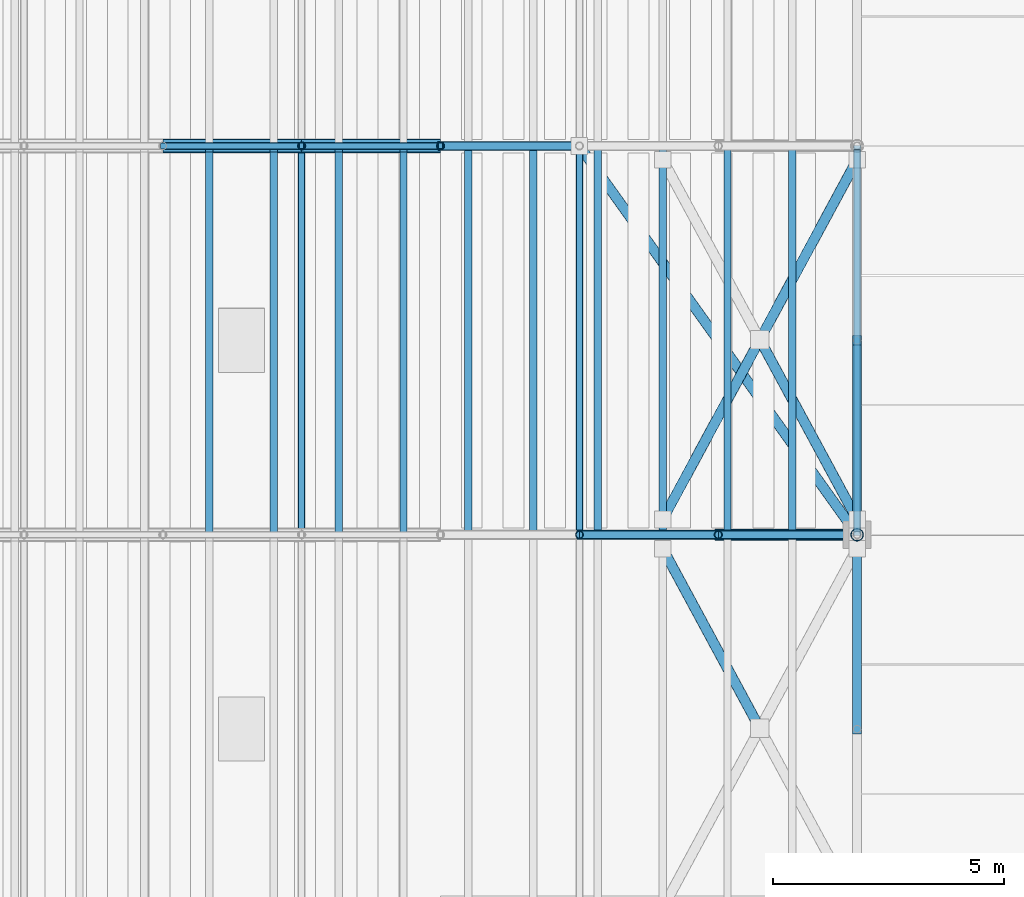
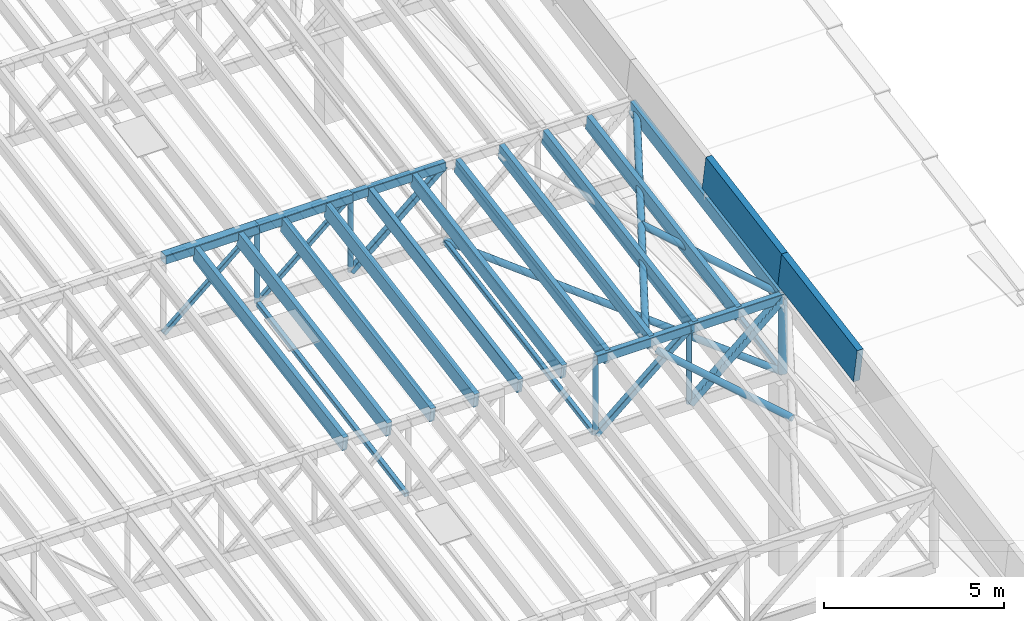
# One storey, part 48 of 91: 33 members, 2 beams.
"""IFC4 building model written with IfcOpenShell, lengths in metres."""

from ifc_helpers import new_model, si_unit, direction, frame, origin, origin_2d, place, context, subcontext, project, spatial, rectangle, hollow_rectangle, hollow_circle, extrude, material, material_profile, profile_set, type_object, element, save


model = new_model("IFC4")

# Units and contexts
model_context = context("Model", 3, precision=1e-05, world=origin(), true_north=direction((0.0, 1.0)))
body_context = subcontext(model_context, "Body", "Model", "MODEL_VIEW")
ifc_project = project(units=[si_unit("LENGTHUNIT", "METRE"), si_unit("AREAUNIT", "SQUARE_METRE"), si_unit("VOLUMEUNIT", "CUBIC_METRE"), si_unit("PLANEANGLEUNIT", "RADIAN"), si_unit("MASSUNIT", "GRAM", prefix="KILO")], contexts=[model_context])

# Site, building, storey
site_placement = place(None, origin())
site = spatial("IfcSite", under=ifc_project, at=site_placement, CompositionType="ELEMENT")
building_placement = place(site_placement, origin())
building = spatial("IfcBuilding", under=site, at=building_placement, Name="Almond Square Museum", CompositionType="ELEMENT")
storey_placement = place(building_placement, frame((0.0, 0.0, 30.0)))
storey = spatial("IfcBuildingStorey", under=building, at=storey_placement, Name="L05", CompositionType="ELEMENT", Elevation=30.0)

# Members
ifc_material_1 = material(Name="Glulam GL28h", Category="wood")
ifc_material_profile_1 = material_profile(ifc_material_1, rectangle(XDim=0.159912109375, YDim=0.5, at=origin_2d()))
ifc_profile_set_1 = profile_set([ifc_material_profile_1], Name="Glulam GL28h")
member_type_1 = type_object("IfcMemberType", Name="Glulam rafter GL28h 160x500", PredefinedType="RAFTER", material=ifc_profile_set_1)
for number, where, z_axis, x_axis, name in (
    (1, (134.800048828125, 67.22998046875, 9.08984375), (0.0, 0.985027509143, 0.172397233827), (-1.0, 0.0, 0.0), "Hall rafter 3.21"),
    (2, (136.199951171875, 67.22998046875, 9.08984375), (0.0, 0.985027509143, 0.172397233827), (-1.0, 0.0, 0.0), "Hall rafter 3.22"),
    (3, (137.60009765625, 67.22998046875, 9.08984375), (0.0, 0.985027509143, 0.172397233827), (-1.0, 0.0, 0.0), "Hall rafter 3.23"),
    (4, (139.0, 67.22998046875, 9.08984375), (0.0, 0.985027509143, 0.172397233827), (-1.0, 0.0, 0.0), "Hall rafter 3.24"),
):
    element("IfcMember", number, at=place(storey_placement, frame(where, z_axis=z_axis, x_axis=x_axis)), inside=storey, type_object=member_type_1, Name=name, PredefinedType="RAFTER", context=body_context, shape_type="SweptSolid", body=[
        extrude(rectangle(XDim=0.159912109375, YDim=0.5, at=origin_2d()), origin(), (0.0, 0.0, 1.0), 8.4091796875),
    ])
for number, where, z_axis, x_axis, name in (
    (5, (140.39990234375, 67.22998046875, 9.08984375), (0.0, 0.985030957185, 0.172377531562), (-1.0, 0.0, 0.0), "Hall rafter 3.25"),
    (6, (141.800048828125, 67.22998046875, 9.08984375), (0.0, 0.985030957185, 0.172377531562), (-1.0, 0.0, 0.0), "Hall rafter 3.26"),
    (7, (143.199951171875, 67.22998046875, 9.08984375), (0.0, 0.985030957185, 0.172377531562), (-1.0, 0.0, 0.0), "Hall rafter 3.27"),
    (8, (144.60009765625, 67.22998046875, 9.08984375), (0.0, 0.985030957185, 0.172377531562), (-1.0, 0.0, 0.0), "Hall rafter 3.28"),
    (9, (146.0, 67.22998046875, 9.08984375), (0.0, 0.985030957185, 0.172377531562), (-1.0, 0.0, 0.0), "Hall rafter 3.29"),
    (10, (147.39990234375, 67.22998046875, 9.08984375), (0.0, 0.985030957185, 0.172377531562), (-1.0, 0.0, 0.0), "Hall rafter 3.30"),
    (11, (148.800048828125, 67.22998046875, 9.08984375), (0.0, 0.985030957185, 0.172377531562), (-1.0, 0.0, 0.0), "Hall rafter 3.31"),
):
    element("IfcMember", number, at=place(storey_placement, frame(where, z_axis=z_axis, x_axis=x_axis)), inside=storey, type_object=member_type_1, Name=name, PredefinedType="RAFTER", context=body_context, shape_type="SweptSolid", body=[
        extrude(rectangle(XDim=0.159912109375, YDim=0.5, at=origin_2d()), origin(), (0.0, 0.0, 1.0), 8.459716796875),
    ])

# Beams
ifc_material_2 = material(Name="Glulam GL28h", Category="wood")
ifc_material_profile_2 = material_profile(ifc_material_2, rectangle(XDim=0.199951171875, YDim=1.199951171875, at=origin_2d()))
ifc_profile_set_2 = profile_set([ifc_material_profile_2], Name="Glulam GL28h")
beam_type = type_object("IfcBeamType", Name="Rake fascia beam GL28h 200x1200", PredefinedType="BEAM", material=ifc_profile_set_2)
beam_1_placement = place(storey_placement, frame((148.800048828125, 63.0, 9.405029296875), z_axis=(0.0, 0.98503557112, 0.172351163697), x_axis=(-1.0, 0.0, 0.0)))
element("IfcBeam", 12, at=beam_1_placement, inside=storey, type_object=beam_type, Name="Gable rake fascia E 4", PredefinedType="BEAM", context=body_context, shape_type="SweptSolid", body=[
    extrude(rectangle(XDim=0.199951171875, YDim=1.199951171875, at=origin_2d()), origin(), (0.0, 0.0, 1.0), 4.263671875),
])
beam_2_placement = place(storey_placement, frame((148.800048828125, 67.199951171875, 10.139892578125), z_axis=(0.0, 0.985025848584, 0.172406721507), x_axis=(-1.0, 0.0, 0.0)))
element("IfcBeam", 13, at=beam_2_placement, inside=storey, type_object=beam_type, Name="Gable rake fascia E 5", PredefinedType="BEAM", context=body_context, shape_type="SweptSolid", body=[
    extrude(rectangle(XDim=0.199951171875, YDim=1.199951171875, at=origin_2d()), origin(), (0.0, 0.0, 1.0), 4.263916015625),
])

# Members
ifc_material_3 = material(Name="Structural steel S355", Category="steel")
ifc_material_profile_3 = material_profile(ifc_material_3, hollow_circle(Radius=0.109619140625, WallThickness=0.010009765625, at=origin_2d()))
ifc_profile_set_3 = profile_set([ifc_material_profile_3], Name="Structural steel S355")
member_type_2 = type_object("IfcMemberType", Name="Roof brace CHS 219.1x10", PredefinedType="BRACE", material=ifc_profile_set_3)
member_1_placement = place(storey_placement, frame((148.800048828125, 67.199951171875, 6.639892578125), z_axis=(-0.575424771763, 0.805608728924, 0.140999673485), x_axis=(-0.813738265173, -0.581231482108, 0.0)))
element("IfcMember", 14, at=member_1_placement, inside=storey, type_object=member_type_2, Name="Hall bay 3 plan brace", PredefinedType="BRACE", context=body_context, shape_type="SweptSolid", body=[
    extrude(hollow_circle(Radius=0.109619140625, WallThickness=0.010009765625, at=origin_2d()), origin(), (0.0, 0.0, 1.0), 10.427001953125),
])
member_2_placement = place(storey_placement, frame((144.60009765625, 67.530029296875, 9.142333984375), z_axis=(0.469974280677, 0.869464712946, 0.15216861846), x_axis=(-0.879709326121, 0.475511831121, 0.0)))
element("IfcMember", 15, at=member_2_placement, inside=storey, type_object=member_type_2, Name="Hall roof plane brace 3", PredefinedType="BRACE", context=body_context, shape_type="SweptSolid", body=[
    extrude(hollow_circle(Radius=0.109619140625, WallThickness=0.010009765625, at=origin_2d()), origin(), (0.0, 0.0, 1.0), 8.9365234375),
])
for number, where, z_axis, x_axis, name in (
    (16, (148.800048828125, 67.530029296875, 9.142333984375), (-0.46999556541, 0.86945354945, 0.15216666469), (-0.879697763355, -0.475533221918, 0.0), "Hall roof plane brace 3"),
    (17, (146.699951171875, 63.014892578125, 8.352294921875), (-0.469952995123, 0.869475876223, 0.152170572191), (-0.87972088867, -0.47549043948, 0.0), "Hall roof plane brace 2"),
):
    element("IfcMember", number, at=place(storey_placement, frame(where, z_axis=z_axis, x_axis=x_axis)), inside=storey, type_object=member_type_2, Name=name, PredefinedType="BRACE", context=body_context, shape_type="SweptSolid", body=[
        extrude(hollow_circle(Radius=0.109619140625, WallThickness=0.010009765625, at=origin_2d()), origin(), (0.0, 0.0, 1.0), 4.46826171875),
    ])
ifc_material_4 = material(Name="Structural steel S355", Category="steel")
ifc_material_profile_4 = material_profile(ifc_material_4, hollow_rectangle(XDim=0.199951171875, YDim=0.300048828125, WallThickness=0.010009765625, InnerFilletRadius=0.014892578125, OuterFilletRadius=0.02490234375, at=origin_2d()))
ifc_profile_set_4 = profile_set([ifc_material_profile_4], Name="Structural steel S355")
member_type_3 = type_object("IfcMemberType", Name="Truss chord RHS 300x200x10", PredefinedType="CHORD", material=ifc_profile_set_4)
for number, where, z_axis, x_axis, name in (
    (18, (142.800048828125, 67.199951171875, 9.1884765625), (1.0, 0.0, 0.0), (0.0, 1.0, 0.0), "TR-03 top chord 13"),
    (19, (145.800048828125, 67.199951171875, 9.1884765625), (1.0, 0.0, 0.0), (0.0, 1.0, 0.0), "TR-03 top chord 14"),
    (20, (139.800048828125, 75.60009765625, 10.658447265625), (1.0, 0.0, 0.0), (0.0, 1.0, 0.0), "TR-04 top chord 12"),
):
    element("IfcMember", number, at=place(storey_placement, frame(where, z_axis=z_axis, x_axis=x_axis)), inside=storey, type_object=member_type_3, Name=name, PredefinedType="CHORD", context=body_context, shape_type="SweptSolid", body=[
        extrude(hollow_rectangle(XDim=0.199951171875, YDim=0.300048828125, WallThickness=0.010009765625, InnerFilletRadius=0.014892578125, OuterFilletRadius=0.02490234375, at=origin_2d()), origin(), (0.0, 0.0, 1.0), 3.0),
    ])
ifc_material_5 = material(Name="Structural steel S355", Category="steel")
ifc_material_profile_5 = material_profile(ifc_material_5, hollow_rectangle(XDim=0.300048828125, YDim=0.300048828125, WallThickness=0.012451171875, InnerFilletRadius=0.02490234375, OuterFilletRadius=0.03759765625, at=origin_2d()))
ifc_profile_set_5 = profile_set([ifc_material_profile_5], Name="Structural steel S355")
member_type_4 = type_object("IfcMemberType", Name="Truss chord SHS 300x300x12.5", PredefinedType="CHORD", material=ifc_profile_set_5)
for number, where, z_axis, x_axis, name in (
    (21, (133.800048828125, 75.60009765625, 10.658447265625), (1.0, 0.0, 0.0), (0.0, 1.0, 0.0), "TR-04 top chord 10"),
    (22, (136.800048828125, 75.60009765625, 10.658447265625), (1.0, 0.0, 0.0), (0.0, 1.0, 0.0), "TR-04 top chord 11"),
):
    element("IfcMember", number, at=place(storey_placement, frame(where, z_axis=z_axis, x_axis=x_axis)), inside=storey, type_object=member_type_4, Name=name, PredefinedType="CHORD", context=body_context, shape_type="SweptSolid", body=[
        extrude(hollow_rectangle(XDim=0.300048828125, YDim=0.300048828125, WallThickness=0.012451171875, InnerFilletRadius=0.02490234375, OuterFilletRadius=0.03759765625, at=origin_2d()), origin(), (0.0, 0.0, 1.0), 3.0),
    ])
ifc_material_6 = material(Name="Structural steel S355", Category="steel")
ifc_material_profile_6 = material_profile(ifc_material_6, hollow_rectangle(XDim=0.14990234375, YDim=0.14990234375, WallThickness=0.008056640625, InnerFilletRadius=0.011962890625, OuterFilletRadius=0.02001953125, at=origin_2d()))
ifc_profile_set_6 = profile_set([ifc_material_profile_6], Name="Structural steel S355")
member_type_5 = type_object("IfcMemberType", Name="Truss diagonal SHS 150x150x8", PredefinedType="BRACE", material=ifc_profile_set_6)
for number, where, z_axis, x_axis, name in (
    (23, (133.800048828125, 75.60009765625, 8.110107421875), (0.762147404437, 0.0, 0.647403532513), (0.0, 1.0, 0.0), "TR-04 diagonal 10"),
    (24, (136.800048828125, 75.60009765625, 8.110107421875), (0.762147404437, 0.0, 0.647403532513), (0.0, 1.0, 0.0), "TR-04 diagonal 11"),
):
    element("IfcMember", number, at=place(storey_placement, frame(where, z_axis=z_axis, x_axis=x_axis)), inside=storey, type_object=member_type_5, Name=name, PredefinedType="BRACE", context=body_context, shape_type="SweptSolid", body=[
        extrude(hollow_rectangle(XDim=0.14990234375, YDim=0.14990234375, WallThickness=0.008056640625, InnerFilletRadius=0.011962890625, OuterFilletRadius=0.02001953125, at=origin_2d()), origin(), (0.0, 0.0, 1.0), 3.936279296875),
    ])
ifc_material_7 = material(Name="Structural steel S355", Category="steel")
ifc_material_profile_7 = material_profile(ifc_material_7, hollow_rectangle(XDim=0.199951171875, YDim=0.199951171875, WallThickness=0.010009765625, InnerFilletRadius=0.014892578125, OuterFilletRadius=0.02490234375, at=origin_2d()))
ifc_profile_set_7 = profile_set([ifc_material_profile_7], Name="Structural steel S355")
member_type_6 = type_object("IfcMemberType", Name="Truss diagonal SHS 200x200x10", PredefinedType="BRACE", material=ifc_profile_set_7)
member_3_placement = place(storey_placement, frame((142.800048828125, 67.199951171875, 6.639892578125), z_axis=(0.762116801264, 0.0, 0.647439557975), x_axis=(0.0, 1.0, 0.0)))
element("IfcMember", 25, at=member_3_placement, inside=storey, type_object=member_type_6, Name="TR-03 diagonal 13", PredefinedType="BRACE", context=body_context, shape_type="SweptSolid", body=[
    extrude(hollow_rectangle(XDim=0.199951171875, YDim=0.199951171875, WallThickness=0.010009765625, InnerFilletRadius=0.014892578125, OuterFilletRadius=0.02490234375, at=origin_2d()), origin(), (0.0, 0.0, 1.0), 3.9365234375),
])
member_4_placement = place(storey_placement, frame((139.800048828125, 75.60009765625, 8.110107421875), z_axis=(0.762147404437, 0.0, 0.647403532513), x_axis=(0.0, 1.0, 0.0)))
element("IfcMember", 26, at=member_4_placement, inside=storey, type_object=member_type_6, Name="TR-04 diagonal 12", PredefinedType="BRACE", context=body_context, shape_type="SweptSolid", body=[
    extrude(hollow_rectangle(XDim=0.199951171875, YDim=0.199951171875, WallThickness=0.010009765625, InnerFilletRadius=0.014892578125, OuterFilletRadius=0.02490234375, at=origin_2d()), origin(), (0.0, 0.0, 1.0), 3.936279296875),
])
ifc_material_8 = material(Name="Structural steel S355", Category="steel")
ifc_material_profile_8 = material_profile(ifc_material_8, hollow_rectangle(XDim=0.25, YDim=0.25, WallThickness=0.012451171875, InnerFilletRadius=0.02490234375, OuterFilletRadius=0.03759765625, at=origin_2d()))
ifc_profile_set_8 = profile_set([ifc_material_profile_8], Name="Structural steel S355")
member_type_7 = type_object("IfcMemberType", Name="Truss diagonal SHS 250x250x12.5", PredefinedType="BRACE", material=ifc_profile_set_8)
member_5_placement = place(storey_placement, frame((145.800048828125, 67.199951171875, 6.639892578125), z_axis=(0.762116801264, 0.0, 0.647439557975), x_axis=(0.0, 1.0, 0.0)))
element("IfcMember", 27, at=member_5_placement, inside=storey, type_object=member_type_7, Name="TR-03 diagonal 14", PredefinedType="BRACE", context=body_context, shape_type="SweptSolid", body=[
    extrude(hollow_rectangle(XDim=0.25, YDim=0.25, WallThickness=0.012451171875, InnerFilletRadius=0.02490234375, OuterFilletRadius=0.03759765625, at=origin_2d()), origin(), (0.0, 0.0, 1.0), 3.9365234375),
])
ifc_material_9 = material(Name="Structural steel S355", Category="steel")
ifc_material_profile_9 = material_profile(ifc_material_9, hollow_circle(Radius=0.084228515625, WallThickness=0.008056640625, at=origin_2d()))
ifc_profile_set_9 = profile_set([ifc_material_profile_9], Name="Structural steel S355")
member_type_8 = type_object("IfcMemberType", Name="Truss post CHS 168.3x8", PredefinedType="POST", material=ifc_profile_set_9)
for number, where, z_axis, x_axis, name in (
    (28, (142.800048828125, 67.199951171875, 6.639892578125), (0.0, 0.0, 1.0), (1.0, 0.0, 0.0), "TR-03 post 13"),
    (29, (145.800048828125, 67.199951171875, 6.639892578125), (0.0, 0.0, 1.0), (1.0, 0.0, 0.0), "TR-03 post 14"),
):
    element("IfcMember", number, at=place(storey_placement, frame(where, z_axis=z_axis, x_axis=x_axis)), inside=storey, type_object=member_type_8, Name=name, PredefinedType="POST", context=body_context, shape_type="SweptSolid", body=[
        extrude(hollow_circle(Radius=0.084228515625, WallThickness=0.008056640625, at=origin_2d()), origin(), (0.0, 0.0, 1.0), 2.548583984375),
    ])
for number, where, z_axis, x_axis, name in (
    (30, (136.800048828125, 75.60009765625, 8.110107421875), (0.0, 0.0, 1.0), (1.0, 0.0, 0.0), "TR-04 post 11"),
    (31, (139.800048828125, 75.60009765625, 8.110107421875), (0.0, 0.0, 1.0), (1.0, 0.0, 0.0), "TR-04 post 12"),
):
    element("IfcMember", number, at=place(storey_placement, frame(where, z_axis=z_axis, x_axis=x_axis)), inside=storey, type_object=member_type_8, Name=name, PredefinedType="POST", context=body_context, shape_type="SweptSolid", body=[
        extrude(hollow_circle(Radius=0.084228515625, WallThickness=0.008056640625, at=origin_2d()), origin(), (0.0, 0.0, 1.0), 2.54833984375),
    ])
ifc_material_10 = material(Name="Structural steel S355", Category="steel")
ifc_material_profile_10 = material_profile(ifc_material_10, hollow_circle(Radius=0.136474609375, WallThickness=0.012451171875, at=origin_2d()))
ifc_profile_set_10 = profile_set([ifc_material_profile_10], Name="Structural steel S355")
member_type_9 = type_object("IfcMemberType", Name="Truss post CHS 273x12.5", PredefinedType="POST", material=ifc_profile_set_10)
member_6_placement = place(storey_placement, frame((148.800048828125, 67.199951171875, 6.639892578125), z_axis=(0.0, 0.0, 1.0), x_axis=(1.0, 0.0, 0.0)))
element("IfcMember", 32, at=member_6_placement, inside=storey, type_object=member_type_9, Name="TR-03 post 15", PredefinedType="POST", context=body_context, shape_type="SweptSolid", body=[
    extrude(hollow_circle(Radius=0.136474609375, WallThickness=0.012451171875, at=origin_2d()), origin(), (0.0, 0.0, 1.0), 2.548583984375),
])
ifc_material_11 = material(Name="Structural steel S355", Category="steel")
ifc_material_profile_11 = material_profile(ifc_material_11, hollow_rectangle(XDim=0.14990234375, YDim=0.14990234375, WallThickness=0.008056640625, InnerFilletRadius=0.011962890625, OuterFilletRadius=0.02001953125, at=origin_2d()))
ifc_profile_set_11 = profile_set([ifc_material_profile_11], Name="Structural steel S355")
member_type_10 = type_object("IfcMemberType", Name="Truss tie SHS 150x150x8", PredefinedType="MEMBER", material=ifc_profile_set_11)
for number, where, z_axis, x_axis, name in (
    (33, (136.800048828125, 67.27490234375, 6.639892578125), (0.0, 0.984489455239, 0.175443758862), (-1.0, 0.0, 0.0), "Hall bay 3 tie 6"),
    (34, (142.800048828125, 67.27490234375, 6.639892578125), (0.0, 0.984489455239, 0.175443758862), (-1.0, 0.0, 0.0), "Hall bay 3 tie 7"),
    (35, (148.800048828125, 67.27490234375, 6.639892578125), (0.0, 0.984489455239, 0.175443758862), (-1.0, 0.0, 0.0), "Hall bay 3 tie 8"),
):
    element("IfcMember", number, at=place(storey_placement, frame(where, z_axis=z_axis, x_axis=x_axis)), inside=storey, type_object=member_type_10, Name=name, PredefinedType="MEMBER", context=body_context, shape_type="SweptSolid", body=[
        extrude(hollow_rectangle(XDim=0.14990234375, YDim=0.14990234375, WallThickness=0.008056640625, InnerFilletRadius=0.011962890625, OuterFilletRadius=0.02001953125, at=origin_2d()), origin(), (0.0, 0.0, 1.0), 8.3798828125),
    ])

save(model, "model.ifc")
